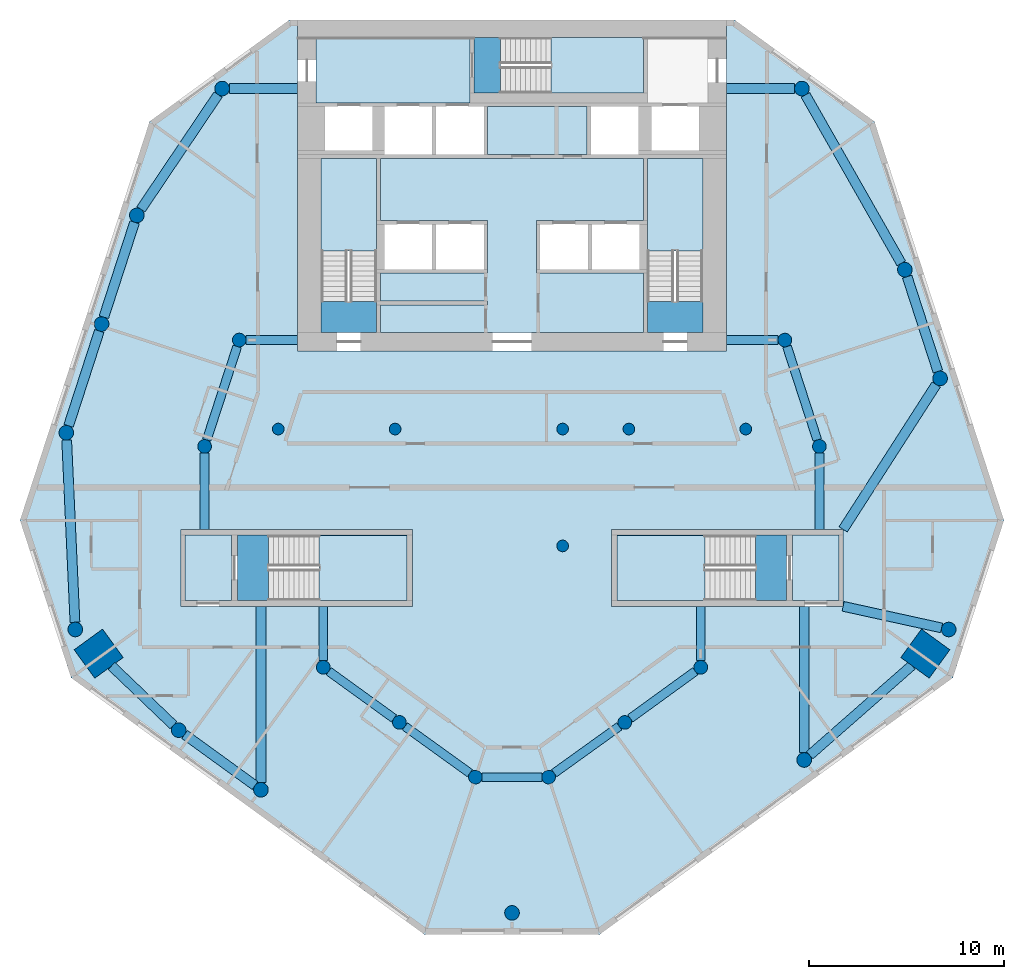
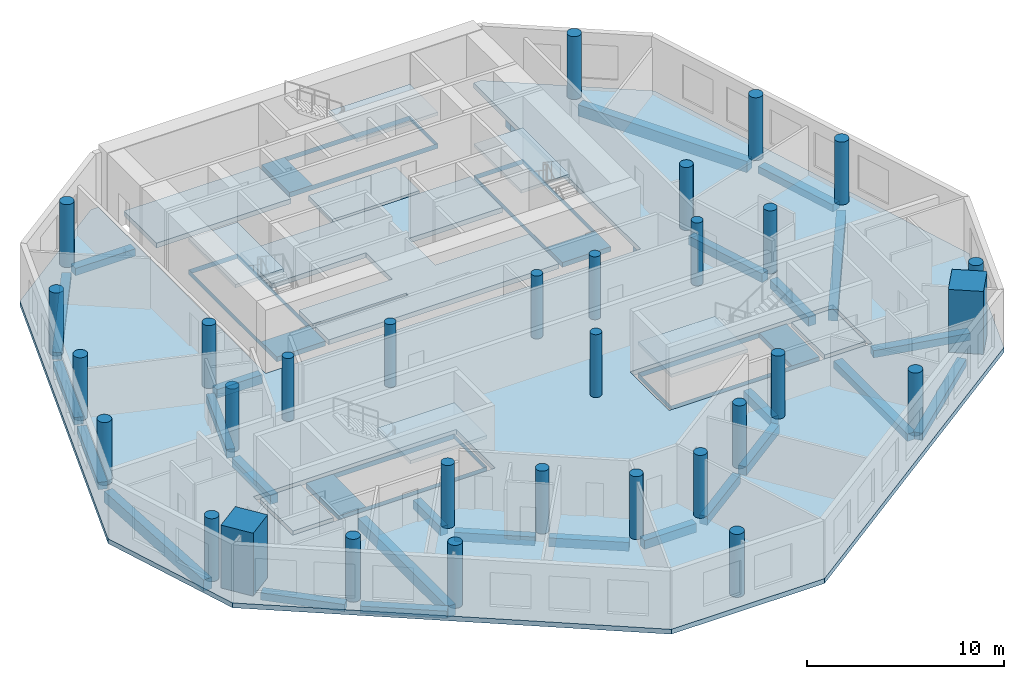
# One storey, part 1 of 9: 31 columns, 28 beams, 16 slabs, 5 elements without a shape of their own.
"""IFC4 building model written with IfcOpenShell, lengths in metres."""

from ifc_helpers import new_model, si_unit, direction, frame, origin, origin_2d, place, context, subcontext, project, spatial, polyline, rectangle, circle, outline, extrude, material, layer, layer_set, material_profile, profile_set, type_object, element, aggregate, save


model = new_model("IFC4")

# Units and contexts
model_context = context("Model", 3, precision=1e-05, world=origin(), true_north=direction((0.0, 1.0)))
body_context = subcontext(model_context, "Body", "Model", "MODEL_VIEW")
ifc_project = project(units=[si_unit("LENGTHUNIT", "METRE"), si_unit("AREAUNIT", "SQUARE_METRE"), si_unit("VOLUMEUNIT", "CUBIC_METRE"), si_unit("PLANEANGLEUNIT", "RADIAN"), si_unit("MASSUNIT", "GRAM", prefix="KILO")], contexts=[model_context])

# Site, building, storey
site_placement = place(None, origin())
site = spatial("IfcSite", under=ifc_project, at=site_placement, CompositionType="ELEMENT")
building_placement = place(site_placement, origin())
building = spatial("IfcBuilding", under=site, at=building_placement, Name="White Candle Pilgrim Tower", CompositionType="ELEMENT")
storey_placement = place(building_placement, frame((0.0, 0.0, 179.800048828125)))
storey = spatial("IfcBuildingStorey", under=building, at=storey_placement, Name="L41", CompositionType="ELEMENT", Elevation=179.800048828125)

# Columns
ifc_material_1 = material(Name="Concrete C70/85", Category="concrete")
ifc_material_profile_1 = material_profile(ifc_material_1, circle(Radius=0.300048828125, at=origin_2d()), Name="RC-COL D600")
ifc_profile_set_1 = profile_set([ifc_material_profile_1], Name="Concrete C70/85")
column_type_1 = type_object("IfcColumnType", Name="Interior column RC-COL D600 C70/85", PredefinedType="COLUMN", material=ifc_profile_set_1)
for number, where, z_axis, x_axis, name in (
    (1, (58.0, 67.0, 0.0), (0.0, 0.0, 1.0), (1.0, 0.0, 0.0), "L41 column I01"),
    (2, (64.0, 67.0, 0.0), (0.0, 0.0, 1.0), (1.0, 0.0, 0.0), "L41 column I02"),
    (3, (72.60009765625, 61.0, 0.0), (0.0, 0.0, 1.0), (1.0, 0.0, 0.0), "L41 column I03"),
    (4, (72.60009765625, 67.0, 0.0), (0.0, 0.0, 1.0), (1.0, 0.0, 0.0), "L41 column I04"),
    (5, (76.0, 67.0, 0.0), (0.0, 0.0, 1.0), (1.0, 0.0, 0.0), "L41 column I05"),
    (6, (82.0, 67.0, 0.0), (0.0, 0.0, 1.0), (1.0, 0.0, 0.0), "L41 column I06"),
):
    element("IfcColumn", number, at=place(storey_placement, frame(where, z_axis=z_axis, x_axis=x_axis)), inside=storey, type_object=column_type_1, Name=name, PredefinedType="COLUMN", context=body_context, shape_type="SweptSolid", body=[
        extrude(circle(Radius=0.300048828125, at=origin_2d()), origin(), (0.0, 0.0, 1.0), 3.89990234375),
    ])
ifc_material_profile_2 = material_profile(ifc_material_1, rectangle(XDim=1.800048828125, YDim=1.800048828125, at=origin_2d()), Name="RC 1800x1800")
ifc_profile_set_2 = profile_set([ifc_material_profile_2], Name="Concrete C70/85")
column_type_2 = type_object("IfcColumnType", Name="Mega column RC 1800x1800 C70/85", PredefinedType="COLUMN", material=ifc_profile_set_2)
for number, where, z_axis, x_axis, name in (
    (7, (48.780029296875, 55.469970703125, 0.0), (0.0, 0.0, 1.0), (-0.809016994375, -0.587785252292, 0.0), "L41 mega column T02"),
    (8, (91.219970703125, 55.469970703125, 0.0), (0.0, 0.0, 1.0), (0.809016994375, -0.587785252292, 0.0), "L41 mega column T07"),
):
    element("IfcColumn", number, at=place(storey_placement, frame(where, z_axis=z_axis, x_axis=x_axis)), inside=storey, type_object=column_type_2, Name=name, PredefinedType="COLUMN", context=body_context, shape_type="SweptSolid", body=[
        extrude(rectangle(XDim=1.800048828125, YDim=1.800048828125, at=origin_2d()), origin(), (0.0, 0.0, 1.0), 3.89990234375),
    ])
ifc_material_profile_3 = material_profile(ifc_material_1, circle(Radius=0.375, at=origin_2d()), Name="RC-COL D750")
ifc_profile_set_3 = profile_set([ifc_material_profile_3], Name="Concrete C70/85")
column_type_3 = type_object("IfcColumnType", Name="Perimeter column RC-COL D750 C70/85", PredefinedType="COLUMN", material=ifc_profile_set_3)
for number, where, z_axis, x_axis, name in (
    (9, (47.580078125, 56.7099609375, 0.0), (0.0, 0.0, 1.0), (1.0, 0.0, 0.0), "L41 column T01"),
    (10, (52.889892578125, 51.5400390625, 0.0), (0.0, 0.0, 1.0), (1.0, 0.0, 0.0), "L41 column T03"),
    (11, (57.110107421875, 48.47998046875, 0.0), (0.0, 0.0, 1.0), (1.0, 0.0, 0.0), "L41 column T04"),
    (12, (70.0, 42.159912109375, 0.0), (0.0, 0.0, 1.0), (1.0, 0.0, 0.0), "L41 column T05"),
    (13, (85.0, 50.010009765625, 0.0), (0.0, 0.0, 1.0), (1.0, 0.0, 0.0), "L41 column T06"),
    (14, (92.419921875, 56.7099609375, 0.0), (0.0, 0.0, 1.0), (1.0, 0.0, 0.0), "L41 column T08"),
    (15, (91.97998046875, 69.60009765625, 0.0), (0.0, 0.0, 1.0), (1.0, 0.0, 0.0), "L41 column T09"),
    (16, (90.169921875, 75.179931640625, 0.0), (0.0, 0.0, 1.0), (1.0, 0.0, 0.0), "L41 column T10"),
    (17, (84.8798828125, 84.47998046875, 0.0), (0.0, 0.0, 1.0), (1.0, 0.0, 0.0), "L41 column T11"),
    (18, (55.1201171875, 84.47998046875, 0.0), (0.0, 0.0, 1.0), (1.0, 0.0, 0.0), "L41 column T12"),
    (19, (50.739990234375, 77.969970703125, 0.0), (0.0, 0.0, 1.0), (1.0, 0.0, 0.0), "L41 column T13"),
    (20, (48.929931640625, 72.389892578125, 0.0), (0.0, 0.0, 1.0), (1.0, 0.0, 0.0), "L41 column T14"),
    (21, (47.1201171875, 66.81005859375, 0.0), (0.0, 0.0, 1.0), (1.0, 0.0, 0.0), "L41 column T15"),
):
    element("IfcColumn", number, at=place(storey_placement, frame(where, z_axis=z_axis, x_axis=x_axis)), inside=storey, type_object=column_type_3, Name=name, PredefinedType="COLUMN", context=body_context, shape_type="SweptSolid", body=[
        extrude(circle(Radius=0.375, at=origin_2d()), origin(), (0.0, 0.0, 1.0), 3.89990234375),
    ])
ifc_material_profile_4 = material_profile(ifc_material_1, circle(Radius=0.35009765625, at=origin_2d()), Name="RC-COL D700")
ifc_profile_set_4 = profile_set([ifc_material_profile_4], Name="Concrete C70/85")
column_type_4 = type_object("IfcColumnType", Name="Ring column RC-COL D700 C70/85", PredefinedType="COLUMN", material=ifc_profile_set_4)
for number, where, z_axis, x_axis, name in (
    (22, (60.31005859375, 54.77001953125, 0.0), (0.0, 0.0, 1.0), (1.0, 0.0, 0.0), "L41 column R01"),
    (23, (64.219970703125, 51.93994140625, 0.0), (0.0, 0.0, 1.0), (1.0, 0.0, 0.0), "L41 column R02"),
    (24, (68.1201171875, 49.1298828125, 0.0), (0.0, 0.0, 1.0), (1.0, 0.0, 0.0), "L41 column R03"),
    (25, (71.8798828125, 49.1298828125, 0.0), (0.0, 0.0, 1.0), (1.0, 0.0, 0.0), "L41 column R04"),
    (26, (75.7900390625, 51.93994140625, 0.0), (0.0, 0.0, 1.0), (1.0, 0.0, 0.0), "L41 column R05"),
    (27, (79.68994140625, 54.77001953125, 0.0), (0.0, 0.0, 1.0), (1.0, 0.0, 0.0), "L41 column R06"),
    (28, (85.780029296875, 66.110107421875, 0.0), (0.0, 0.0, 1.0), (1.0, 0.0, 0.0), "L41 column R07"),
    (29, (84.010009765625, 71.570068359375, 0.0), (0.0, 0.0, 1.0), (1.0, 0.0, 0.0), "L41 column R08"),
    (30, (56.0, 71.570068359375, 0.0), (0.0, 0.0, 1.0), (1.0, 0.0, 0.0), "L41 column R09"),
    (31, (54.219970703125, 66.110107421875, 0.0), (0.0, 0.0, 1.0), (1.0, 0.0, 0.0), "L41 column R10"),
):
    element("IfcColumn", number, at=place(storey_placement, frame(where, z_axis=z_axis, x_axis=x_axis)), inside=storey, type_object=column_type_4, Name=name, PredefinedType="COLUMN", context=body_context, shape_type="SweptSolid", body=[
        extrude(circle(Radius=0.35009765625, at=origin_2d()), origin(), (0.0, 0.0, 1.0), 3.89990234375),
    ])

# Beams
ifc_material_2 = material(Name="Concrete C50/60", Category="concrete")
ifc_material_profile_5 = material_profile(ifc_material_2, rectangle(XDim=0.449951171875, YDim=0.550048828125, at=origin_2d()), Name="RC-BM 450x550")
ifc_profile_set_5 = profile_set([ifc_material_profile_5], Name="Concrete C50/60")
beam_type_1 = type_object("IfcBeamType", Name="Ring beam RC-BM 450x550 C50/60", PredefinedType="BEAM", material=ifc_profile_set_5)
beam_1_placement = place(storey_placement, frame((60.593505859375, 54.56494140625, -0.574951171875), z_axis=(0.810043858436, -0.586369292691, 0.0), x_axis=(0.586369292691, 0.810043858436, 0.0)))
element("IfcBeam", 32, at=beam_1_placement, inside=storey, type_object=beam_type_1, Name="L41 ring beam R01", PredefinedType="BEAM", context=body_context, shape_type="SweptSolid", body=[
    extrude(rectangle(XDim=0.449951171875, YDim=0.550048828125, at=origin_2d()), origin(), (0.0, 0.0, 1.0), 4.126953125),
])
beam_2_placement = place(storey_placement, frame((64.50390625, 51.735595703125, -0.574951171875), z_axis=(0.811316688041, -0.584606903574, 0.0), x_axis=(0.584606903574, 0.811316688041, 0.0)))
element("IfcBeam", 33, at=beam_2_placement, inside=storey, type_object=beam_type_1, Name="L41 ring beam R02", PredefinedType="BEAM", context=body_context, shape_type="SweptSolid", body=[
    extrude(rectangle(XDim=0.449951171875, YDim=0.550048828125, at=origin_2d()), origin(), (0.0, 0.0, 1.0), 4.107177734375),
])
beam_3_placement = place(storey_placement, frame((68.469970703125, 49.1298828125, -0.574951171875), z_axis=(1.0, 0.0, 0.0), x_axis=(0.0, 1.0, 0.0)))
element("IfcBeam", 34, at=beam_3_placement, inside=storey, type_object=beam_type_1, Name="L41 ring beam R03", PredefinedType="BEAM", context=body_context, shape_type="SweptSolid", body=[
    extrude(rectangle(XDim=0.449951171875, YDim=0.550048828125, at=origin_2d()), origin(), (0.0, 0.0, 1.0), 3.06005859375),
])
beam_4_placement = place(storey_placement, frame((72.1640625, 49.333984375, -0.574951171875), z_axis=(0.812022399974, 0.583626269063, 0.0), x_axis=(-0.583626269063, 0.812022399974, 0.0)))
element("IfcBeam", 35, at=beam_4_placement, inside=storey, type_object=beam_type_1, Name="L41 ring beam R04", PredefinedType="BEAM", context=body_context, shape_type="SweptSolid", body=[
    extrude(rectangle(XDim=0.449951171875, YDim=0.550048828125, at=origin_2d()), origin(), (0.0, 0.0, 1.0), 4.115478515625),
])
beam_5_placement = place(storey_placement, frame((76.072998046875, 52.1455078125, -0.574951171875), z_axis=(0.809401961177, 0.587255025728, 0.0), x_axis=(-0.587255025728, 0.809401961177, 0.0)))
element("IfcBeam", 36, at=beam_5_placement, inside=storey, type_object=beam_type_1, Name="L41 ring beam R05", PredefinedType="BEAM", context=body_context, shape_type="SweptSolid", body=[
    extrude(rectangle(XDim=0.449951171875, YDim=0.550048828125, at=origin_2d()), origin(), (0.0, 0.0, 1.0), 4.119140625),
])
beam_6_placement = place(storey_placement, frame((79.68994140625, 55.1201171875, -0.574951171875), z_axis=(0.0, 1.0, 0.0), x_axis=(-1.0, 0.0, 0.0)))
element("IfcBeam", 37, at=beam_6_placement, inside=storey, type_object=beam_type_1, Name="L41 ring beam R06", PredefinedType="BEAM", context=body_context, shape_type="SweptSolid", body=[
    extrude(rectangle(XDim=0.449951171875, YDim=0.550048828125, at=origin_2d()), origin(), (0.0, 0.0, 1.0), 2.77978515625),
])
beam_7_placement = place(storey_placement, frame((85.780029296875, 65.760009765625, -0.574951171875), z_axis=(0.0, -1.0, 0.0), x_axis=(1.0, 0.0, 0.0)))
element("IfcBeam", 38, at=beam_7_placement, inside=storey, type_object=beam_type_1, Name="L41 ring beam R07", PredefinedType="BEAM", context=body_context, shape_type="SweptSolid", body=[
    extrude(rectangle(XDim=0.449951171875, YDim=0.550048828125, at=origin_2d()), origin(), (0.0, 0.0, 1.0), 3.909912109375),
])
beam_8_placement = place(storey_placement, frame((85.672119140625, 66.44287109375, -0.574951171875), z_axis=(-0.308369651752, 0.95126660715, 0.0), x_axis=(-0.95126660715, -0.308369651752, 0.0)))
element("IfcBeam", 39, at=beam_8_placement, inside=storey, type_object=beam_type_1, Name="L41 ring beam R08", PredefinedType="BEAM", context=body_context, shape_type="SweptSolid", body=[
    extrude(rectangle(XDim=0.449951171875, YDim=0.550048828125, at=origin_2d()), origin(), (0.0, 0.0, 1.0), 5.0400390625),
])
beam_9_placement = place(storey_placement, frame((83.659912109375, 71.570068359375, -0.574951171875), z_axis=(-1.0, 0.0, 0.0), x_axis=(0.0, -1.0, 0.0)))
element("IfcBeam", 40, at=beam_9_placement, inside=storey, type_object=beam_type_1, Name="L41 ring beam R09", PredefinedType="BEAM", context=body_context, shape_type="SweptSolid", body=[
    extrude(rectangle(XDim=0.449951171875, YDim=0.550048828125, at=origin_2d()), origin(), (0.0, 0.0, 1.0), 2.659912109375),
])
beam_10_placement = place(storey_placement, frame((56.35009765625, 71.570068359375, -0.574951171875), z_axis=(1.0, 0.0, 0.0), x_axis=(0.0, 1.0, 0.0)))
element("IfcBeam", 41, at=beam_10_placement, inside=storey, type_object=beam_type_1, Name="L41 ring beam R10", PredefinedType="BEAM", context=body_context, shape_type="SweptSolid", body=[
    extrude(rectangle(XDim=0.449951171875, YDim=0.550048828125, at=origin_2d()), origin(), (0.0, 0.0, 1.0), 2.64990234375),
])
beam_11_placement = place(storey_placement, frame((55.8916015625, 71.2373046875, -0.574951171875), z_axis=(-0.309975890104, -0.950744417577, 0.0), x_axis=(0.950744417577, -0.309975890104, 0.0)))
element("IfcBeam", 42, at=beam_11_placement, inside=storey, type_object=beam_type_1, Name="L41 ring beam R11", PredefinedType="BEAM", context=body_context, shape_type="SweptSolid", body=[
    extrude(rectangle(XDim=0.449951171875, YDim=0.550048828125, at=origin_2d()), origin(), (0.0, 0.0, 1.0), 5.04296875),
])
beam_12_placement = place(storey_placement, frame((54.219970703125, 65.760009765625, -0.574951171875), z_axis=(0.0, -1.0, 0.0), x_axis=(1.0, 0.0, 0.0)))
element("IfcBeam", 43, at=beam_12_placement, inside=storey, type_object=beam_type_1, Name="L41 ring beam R12", PredefinedType="BEAM", context=body_context, shape_type="SweptSolid", body=[
    extrude(rectangle(XDim=0.449951171875, YDim=0.550048828125, at=origin_2d()), origin(), (0.0, 0.0, 1.0), 3.909912109375),
])
beam_13_placement = place(storey_placement, frame((60.31005859375, 55.1201171875, -0.574951171875), z_axis=(0.0, 1.0, 0.0), x_axis=(-1.0, 0.0, 0.0)))
element("IfcBeam", 44, at=beam_13_placement, inside=storey, type_object=beam_type_1, Name="L41 ring beam R13", PredefinedType="BEAM", context=body_context, shape_type="SweptSolid", body=[
    extrude(rectangle(XDim=0.449951171875, YDim=0.550048828125, at=origin_2d()), origin(), (0.0, 0.0, 1.0), 2.77978515625),
])
ifc_material_profile_6 = material_profile(ifc_material_2, rectangle(XDim=0.5, YDim=0.449951171875, at=origin_2d()), Name="RC-BM 500x450")
ifc_profile_set_6 = profile_set([ifc_material_profile_6], Name="Concrete C50/60")
beam_type_2 = type_object("IfcBeamType", Name="Spandrel beam RC-BM 500x450 C50/60", PredefinedType="BEAM", material=ifc_profile_set_6)
beam_14_placement = place(storey_placement, frame((49.441162109375, 54.837890625, -0.525146484375), z_axis=(0.722753991569, -0.691105395487, 0.0), x_axis=(0.691105395487, 0.722753991569, 0.0)))
element("IfcBeam", 45, at=beam_14_placement, inside=storey, type_object=beam_type_2, Name="L41 spandrel beam T01", PredefinedType="BEAM", context=body_context, shape_type="SweptSolid", body=[
    extrude(rectangle(XDim=0.5, YDim=0.449951171875, at=origin_2d()), origin(), (0.0, 0.0, 1.0), 4.39697265625),
])
beam_15_placement = place(storey_placement, frame((53.193359375, 51.320068359375, -0.525146484375), z_axis=(0.809558451789, -0.587039277338, 0.0), x_axis=(0.587039277338, 0.809558451789, 0.0)))
element("IfcBeam", 46, at=beam_15_placement, inside=storey, type_object=beam_type_2, Name="L41 spandrel beam T02", PredefinedType="BEAM", context=body_context, shape_type="SweptSolid", body=[
    extrude(rectangle(XDim=0.5, YDim=0.449951171875, at=origin_2d()), origin(), (0.0, 0.0, 1.0), 4.46337890625),
])
beam_16_placement = place(storey_placement, frame((85.0, 50.385009765625, -0.525146484375), z_axis=(0.0, 1.0, 0.0), x_axis=(-1.0, 0.0, 0.0)))
element("IfcBeam", 47, at=beam_16_placement, inside=storey, type_object=beam_type_2, Name="L41 spandrel beam T04", PredefinedType="BEAM", context=body_context, shape_type="SweptSolid", body=[
    extrude(rectangle(XDim=0.5, YDim=0.449951171875, at=origin_2d()), origin(), (0.0, 0.0, 1.0), 7.514892578125),
])
beam_17_placement = place(storey_placement, frame((85.28173828125, 50.25732421875, -0.525146484375), z_axis=(0.751529055224, 0.65969999178, 0.0), x_axis=(-0.65969999178, 0.751529055224, 0.0)))
element("IfcBeam", 48, at=beam_17_placement, inside=storey, type_object=beam_type_2, Name="L41 spandrel beam T05", PredefinedType="BEAM", context=body_context, shape_type="SweptSolid", body=[
    extrude(rectangle(XDim=0.5, YDim=0.449951171875, at=origin_2d()), origin(), (0.0, 0.0, 1.0), 6.97900390625),
])
beam_18_placement = place(storey_placement, frame((92.053955078125, 56.790283203125, -0.525146484375), z_axis=(-0.976735666267, 0.214446819148, 0.0), x_axis=(-0.214446819148, -0.976735666267, 0.0)))
element("IfcBeam", 49, at=beam_18_placement, inside=storey, type_object=beam_type_2, Name="L41 spandrel beam T06", PredefinedType="BEAM", context=body_context, shape_type="SweptSolid", body=[
    extrude(rectangle(XDim=0.5, YDim=0.449951171875, at=origin_2d()), origin(), (0.0, 0.0, 1.0), 5.17431640625),
])
beam_19_placement = place(storey_placement, frame((91.8642578125, 69.95654296875, -0.525146484375), z_axis=(-0.308530369215, 0.951214492779, 0.0), x_axis=(-0.951214492779, -0.308530369215, 0.0)))
element("IfcBeam", 50, at=beam_19_placement, inside=storey, type_object=beam_type_2, Name="L41 spandrel beam T08", PredefinedType="BEAM", context=body_context, shape_type="SweptSolid", body=[
    extrude(rectangle(XDim=0.5, YDim=0.449951171875, at=origin_2d()), origin(), (0.0, 0.0, 1.0), 5.116455078125),
])
for number, where, z_axis, x_axis, name in (
    (51, (84.5048828125, 84.47998046875, -0.525146484375), (-1.0, 0.0, 0.0), (0.0, -1.0, 0.0), "L41 spandrel beam T10"),
    (52, (55.4951171875, 84.47998046875, -0.525146484375), (1.0, 0.0, 0.0), (0.0, 1.0, 0.0), "L41 spandrel beam T11"),
):
    element("IfcBeam", number, at=place(storey_placement, frame(where, z_axis=z_axis, x_axis=x_axis)), inside=storey, type_object=beam_type_2, Name=name, PredefinedType="BEAM", context=body_context, shape_type="SweptSolid", body=[
        extrude(rectangle(XDim=0.5, YDim=0.449951171875, at=origin_2d()), origin(), (0.0, 0.0, 1.0), 3.5048828125),
    ])
beam_20_placement = place(storey_placement, frame((54.91064453125, 84.1689453125, -0.525146484375), z_axis=(-0.55822018442, -0.82969285022, 0.0), x_axis=(0.82969285022, -0.55822018442, 0.0)))
element("IfcBeam", 53, at=beam_20_placement, inside=storey, type_object=beam_type_2, Name="L41 spandrel beam T12", PredefinedType="BEAM", context=body_context, shape_type="SweptSolid", body=[
    extrude(rectangle(XDim=0.5, YDim=0.449951171875, at=origin_2d()), origin(), (0.0, 0.0, 1.0), 7.096435546875),
])
beam_21_placement = place(storey_placement, frame((50.624267578125, 77.61328125, -0.525146484375), z_axis=(-0.308544373382, -0.951209950355, 0.0), x_axis=(0.951209950355, -0.308544373382, 0.0)))
element("IfcBeam", 54, at=beam_21_placement, inside=storey, type_object=beam_type_2, Name="L41 spandrel beam T13", PredefinedType="BEAM", context=body_context, shape_type="SweptSolid", body=[
    extrude(rectangle(XDim=0.5, YDim=0.449951171875, at=origin_2d()), origin(), (0.0, 0.0, 1.0), 5.1162109375),
])
beam_22_placement = place(storey_placement, frame((48.814208984375, 72.033447265625, -0.525146484375), z_axis=(-0.308530369215, -0.951214492779, 0.0), x_axis=(0.951214492779, -0.308530369215, 0.0)))
element("IfcBeam", 55, at=beam_22_placement, inside=storey, type_object=beam_type_2, Name="L41 spandrel beam T14", PredefinedType="BEAM", context=body_context, shape_type="SweptSolid", body=[
    extrude(rectangle(XDim=0.5, YDim=0.449951171875, at=origin_2d()), origin(), (0.0, 0.0, 1.0), 5.116455078125),
])
ifc_material_profile_7 = material_profile(ifc_material_2, rectangle(XDim=0.5, YDim=0.699951171875, at=origin_2d()), Name="RC-BM 500x700")
ifc_profile_set_7 = profile_set([ifc_material_profile_7], Name="Concrete C50/60")
beam_type_3 = type_object("IfcBeamType", Name="Spandrel beam RC-BM 500x700 C50/60", PredefinedType="BEAM", material=ifc_profile_set_7)
beam_23_placement = place(storey_placement, frame((57.110107421875, 48.85498046875, -0.650146484375), z_axis=(0.0, 1.0, 0.0), x_axis=(-1.0, 0.0, 0.0)))
element("IfcBeam", 56, at=beam_23_placement, inside=storey, type_object=beam_type_3, Name="L41 spandrel beam T03", PredefinedType="BEAM", context=body_context, shape_type="SweptSolid", body=[
    extrude(rectangle(XDim=0.5, YDim=0.699951171875, at=origin_2d()), origin(), (0.0, 0.0, 1.0), 9.044921875),
])
beam_24_placement = place(storey_placement, frame((91.77734375, 69.28466796875, -0.650146484375), z_axis=(-0.540595612128, -0.841282582815, 0.0), x_axis=(0.841282582815, -0.540595612128, 0.0)))
element("IfcBeam", 57, at=beam_24_placement, inside=storey, type_object=beam_type_3, Name="L41 spandrel beam T07", PredefinedType="BEAM", context=body_context, shape_type="SweptSolid", body=[
    extrude(rectangle(XDim=0.5, YDim=0.699951171875, at=origin_2d()), origin(), (0.0, 0.0, 1.0), 8.837158203125),
])
beam_25_placement = place(storey_placement, frame((89.984619140625, 75.505859375, -0.650146484375), z_axis=(-0.494422929515, 0.869221471646, 0.0), x_axis=(-0.869221471646, -0.494422929515, 0.0)))
element("IfcBeam", 58, at=beam_25_placement, inside=storey, type_object=beam_type_3, Name="L41 spandrel beam T09", PredefinedType="BEAM", context=body_context, shape_type="SweptSolid", body=[
    extrude(rectangle(XDim=0.5, YDim=0.699951171875, at=origin_2d()), origin(), (0.0, 0.0, 1.0), 9.949462890625),
])
beam_26_placement = place(storey_placement, frame((47.13720703125, 66.435546875, -0.650146484375), z_axis=(0.045485743277, -0.998964987954, 0.0), x_axis=(0.998964987954, 0.045485743277, 0.0)))
element("IfcBeam", 59, at=beam_26_placement, inside=storey, type_object=beam_type_3, Name="L41 spandrel beam T15", PredefinedType="BEAM", context=body_context, shape_type="SweptSolid", body=[
    extrude(rectangle(XDim=0.5, YDim=0.699951171875, at=origin_2d()), origin(), (0.0, 0.0, 1.0), 9.36083984375),
])

# Slabs
ifc_material_3 = material(Name="Concrete C40/50", Category="concrete")
ifc_layer_1 = layer(ifc_material_3, 0.300048828125)
ifc_layer_set_1 = layer_set([ifc_layer_1], Name="Core floor slab 300 mm Concrete C40/50")
slab_type_1 = type_object("IfcSlabType", Name="Core floor slab 300 mm Concrete C40/50", PredefinedType="FLOOR", material=ifc_layer_set_1)
slab_1_placement = place(storey_placement, frame((0.0, 0.0, -0.300048828125)))
element("IfcSlab", 60, at=slab_1_placement, inside=storey, type_object=slab_type_1, Name="CF-L41-01", PredefinedType="FLOOR", context=body_context, shape_type="SweptSolid", body=[
    extrude(outline(polyline([(55.60009765625, 58.199951171875), (53.199951171875, 58.199951171875), (53.199951171875, 61.550048828125), (55.60009765625, 61.550048828125), (55.60009765625, 58.199951171875)])), origin(), (0.0, 0.0, 1.0), 0.300048828125),
])
slab_2_placement = place(storey_placement, frame((0.0, 0.0, -0.300048828125)))
element("IfcSlab", 61, at=slab_2_placement, inside=storey, type_object=slab_type_1, Name="CF-L41-02", PredefinedType="FLOOR", context=body_context, shape_type="SweptSolid", body=[
    extrude(outline(polyline([(55.89990234375, 58.199951171875), (55.89990234375, 61.550048828125), (64.60009765625, 61.550048828125), (64.60009765625, 58.199951171875), (55.89990234375, 58.199951171875)]), holes=[polyline([(57.501953125, 61.548095703125), (57.501953125, 58.201904296875), (64.597900390625, 58.201904296875), (64.597900390625, 61.548095703125), (57.501953125, 61.548095703125)])]), origin(), (0.0, 0.0, 1.0), 0.300048828125),
])
slab_3_placement = place(storey_placement, frame((0.0, 0.0, -0.300048828125)))
element("IfcSlab", 62, at=slab_3_placement, inside=storey, type_object=slab_type_1, Name="CF-L41-03", PredefinedType="FLOOR", context=body_context, shape_type="SweptSolid", body=[
    extrude(outline(polyline([(75.39990234375, 58.199951171875), (75.39990234375, 61.550048828125), (84.10009765625, 61.550048828125), (84.10009765625, 58.199951171875), (75.39990234375, 58.199951171875)]), holes=[polyline([(82.498046875, 58.201904296875), (82.498046875, 61.548095703125), (75.402099609375, 61.548095703125), (75.402099609375, 58.201904296875), (82.498046875, 58.201904296875)])]), origin(), (0.0, 0.0, 1.0), 0.300048828125),
])
slab_4_placement = place(storey_placement, frame((0.0, 0.0, -0.300048828125)))
element("IfcSlab", 63, at=slab_4_placement, inside=storey, type_object=slab_type_1, Name="CF-L41-04", PredefinedType="FLOOR", context=body_context, shape_type="SweptSolid", body=[
    extrude(outline(polyline([(86.800048828125, 58.199951171875), (84.39990234375, 58.199951171875), (84.39990234375, 61.550048828125), (86.800048828125, 61.550048828125), (86.800048828125, 58.199951171875)])), origin(), (0.0, 0.0, 1.0), 0.300048828125),
])
slab_5_placement = place(storey_placement, frame((0.0, 0.0, -0.300048828125)))
element("IfcSlab", 64, at=slab_5_placement, inside=storey, type_object=slab_type_1, Name="CF-L41-05", PredefinedType="FLOOR", context=body_context, shape_type="SweptSolid", body=[
    extrude(outline(polyline([(76.75, 87.10009765625), (76.75, 87.050048828125), (76.75, 84.25), (68.050048828125, 84.25), (68.050048828125, 87.050048828125), (68.050048828125, 87.10009765625), (76.75, 87.10009765625)]), holes=[polyline([(69.402099609375, 87.097900390625), (69.402099609375, 84.251953125), (76.748046875, 84.251953125), (76.748046875, 87.097900390625), (69.402099609375, 87.097900390625)])]), origin(), (0.0, 0.0, 1.0), 0.300048828125),
])
slab_6_placement = place(storey_placement, frame((0.0, 0.0, -0.300048828125)))
element("IfcSlab", 65, at=slab_6_placement, inside=storey, type_object=slab_type_1, Name="CF-L41-07", PredefinedType="FLOOR", context=body_context, shape_type="SweptSolid", body=[
    extrude(outline(polyline([(76.949951171875, 71.949951171875), (76.949951171875, 75.0), (76.949951171875, 75.199951171875), (76.949951171875, 77.5), (76.949951171875, 77.699951171875), (76.949951171875, 80.89990234375), (79.800048828125, 80.89990234375), (79.800048828125, 71.949951171875), (76.949951171875, 71.949951171875)]), holes=[polyline([(76.951904296875, 73.552001953125), (79.798095703125, 73.552001953125), (79.798095703125, 80.89794921875), (76.951904296875, 80.89794921875), (76.951904296875, 73.552001953125)])]), origin(), (0.0, 0.0, 1.0), 0.300048828125),
])
slab_7_placement = place(storey_placement, frame((0.0, 0.0, -0.300048828125)))
element("IfcSlab", 66, at=slab_7_placement, inside=storey, type_object=slab_type_1, Name="CF-L41-08", PredefinedType="FLOOR", context=body_context, shape_type="SweptSolid", body=[
    extrude(outline(polyline([(63.25, 71.949951171875), (63.25, 73.375), (68.75, 73.375), (68.75, 73.574951171875), (63.25, 73.574951171875), (63.25, 75.0), (68.75, 75.0), (68.75, 75.199951171875), (68.75, 77.5), (68.75, 77.699951171875), (63.25, 77.699951171875), (63.25, 80.89990234375), (76.75, 80.89990234375), (76.75, 77.699951171875), (71.25, 77.699951171875), (71.25, 77.5), (71.25, 75.199951171875), (71.25, 75.0), (76.75, 75.0), (76.75, 71.949951171875), (63.25, 71.949951171875)])), origin(), (0.0, 0.0, 1.0), 0.300048828125),
])
slab_8_placement = place(storey_placement, frame((0.0, 0.0, -0.300048828125)))
element("IfcSlab", 67, at=slab_8_placement, inside=storey, type_object=slab_type_1, Name="CF-L41-09", PredefinedType="FLOOR", context=body_context, shape_type="SweptSolid", body=[
    extrude(outline(polyline([(60.199951171875, 71.949951171875), (60.199951171875, 80.89990234375), (63.050048828125, 80.89990234375), (63.050048828125, 77.699951171875), (63.050048828125, 77.5), (63.050048828125, 75.199951171875), (63.050048828125, 75.0), (63.050048828125, 73.574951171875), (63.050048828125, 73.375), (63.050048828125, 71.949951171875), (60.199951171875, 71.949951171875)]), holes=[polyline([(60.201904296875, 73.552001953125), (63.048095703125, 73.552001953125), (63.048095703125, 80.89794921875), (60.201904296875, 80.89794921875), (60.201904296875, 73.552001953125)])]), origin(), (0.0, 0.0, 1.0), 0.300048828125),
])
slab_9_placement = place(storey_placement, frame((0.0, 0.0, -0.300048828125)))
element("IfcSlab", 68, at=slab_9_placement, inside=storey, type_object=slab_type_1, Name="CF-L41-10", PredefinedType="FLOOR", context=body_context, shape_type="SweptSolid", body=[
    extrude(outline(polyline([(59.949951171875, 87.050048828125), (67.85009765625, 87.050048828125), (67.85009765625, 84.25), (67.85009765625, 83.75), (59.949951171875, 83.75), (59.949951171875, 87.050048828125)])), origin(), (0.0, 0.0, 1.0), 0.300048828125),
])
slab_10_placement = place(storey_placement, frame((0.0, 0.0, -0.300048828125)))
element("IfcSlab", 69, at=slab_10_placement, inside=storey, type_object=slab_type_1, Name="CF-L41-11", PredefinedType="FLOOR", context=body_context, shape_type="SweptSolid", body=[
    extrude(outline(polyline([(73.85009765625, 83.550048828125), (73.85009765625, 81.10009765625), (68.75, 81.10009765625), (68.75, 83.550048828125), (73.85009765625, 83.550048828125)])), origin(), (0.0, 0.0, 1.0), 0.300048828125),
])
ifc_layer_2 = layer(ifc_material_3, 0.300048828125)
ifc_layer_set_2 = layer_set([ifc_layer_2], Name="Floor slab 300 REI 120")
slab_type_2 = type_object("IfcSlabType", Name="Floor slab 300 REI 120", PredefinedType="FLOOR", material=ifc_layer_set_2)
slab_11_placement = place(storey_placement, frame((0.0, 0.0, -0.300048828125)))
element("IfcSlab", 70, at=slab_11_placement, inside=storey, type_object=slab_type_2, Name="L41 floor slab", PredefinedType="FLOOR", context=body_context, shape_type="SweptSolid", body=[
    extrude(outline(polyline([(65.504150390625, 41.052978515625), (74.495849609375, 41.052978515625), (92.63134765625, 54.229248046875), (95.25830078125, 62.314453125), (88.604736328125, 82.79248046875), (81.43701171875, 88.0), (81.0, 88.0), (81.0, 71.0), (59.0, 71.0), (59.0, 88.0), (58.56298828125, 88.0), (51.395263671875, 82.79248046875), (44.74169921875, 62.314453125), (47.36865234375, 54.229248046875), (65.504150390625, 41.052978515625)]), holes=[polyline([(53.0, 57.89990234375), (53.0, 61.85009765625), (64.89990234375, 61.85009765625), (64.89990234375, 57.89990234375), (53.0, 57.89990234375)]), polyline([(75.10009765625, 57.89990234375), (75.10009765625, 61.85009765625), (87.0, 61.85009765625), (87.0, 57.89990234375), (75.10009765625, 57.89990234375)])]), origin(), (0.0, 0.0, 1.0), 0.300048828125),
])

# Stair, slab
stair_type_1 = type_object("IfcStairType", Name="Exit stair 1 flight width 1350 mm", PredefinedType="HALF_TURN_STAIR", material=ifc_material_3)
stair_1_placement = place(storey_placement, origin())
stair_1 = element("IfcStair", 71, at=stair_1_placement, inside=storey, type_object=stair_type_1, Name="L41 stair 1", PredefinedType="NOTDEFINED")
ifc_layer_3 = layer(ifc_material_3, 0.199951171875)
ifc_layer_set_3 = layer_set([ifc_layer_3], Name="Stair landing Concrete C40/50")
slab_type_3 = type_object("IfcSlabType", Name="Stair landing Concrete C40/50", PredefinedType="LANDING", material=ifc_layer_set_3)
slab_12_placement = place(storey_placement, frame((0.0, 0.0, 1.75)))
slab_12 = element("IfcSlab", 72, at=slab_12_placement, type_object=slab_type_3, Name="ST1 landing 1", PredefinedType="LANDING", context=body_context, shape_type="SweptSolid", body=[
    extrude(outline(polyline([(63.052001953125, 76.14794921875), (60.197998046875, 76.14794921875), (60.197998046875, 80.902099609375), (63.052001953125, 80.902099609375), (63.052001953125, 76.14794921875)])), origin(), (0.0, 0.0, 1.0), 0.199951171875),
])
aggregate(stair_1, [slab_12])

stair_type_2 = type_object("IfcStairType", Name="Exit stair 2 flight width 1350 mm", PredefinedType="HALF_TURN_STAIR", material=ifc_material_3)
stair_2_placement = place(storey_placement, origin())
stair_2 = element("IfcStair", 73, at=stair_2_placement, inside=storey, type_object=stair_type_2, Name="L41 stair 2", PredefinedType="NOTDEFINED")
slab_13_placement = place(storey_placement, frame((0.0, 0.0, 1.75)))
slab_13 = element("IfcSlab", 74, at=slab_13_placement, type_object=slab_type_3, Name="ST2 landing 1", PredefinedType="LANDING", context=body_context, shape_type="SweptSolid", body=[
    extrude(outline(polyline([(79.802001953125, 76.14794921875), (76.947998046875, 76.14794921875), (76.947998046875, 80.902099609375), (79.802001953125, 80.902099609375), (79.802001953125, 76.14794921875)])), origin(), (0.0, 0.0, 1.0), 0.199951171875),
])
aggregate(stair_2, [slab_13])

stair_type_3 = type_object("IfcStairType", Name="Exit stair 3 flight width 1350 mm", PredefinedType="HALF_TURN_STAIR", material=ifc_material_3)
stair_3_placement = place(storey_placement, origin())
stair_3 = element("IfcStair", 75, at=stair_3_placement, inside=storey, type_object=stair_type_3, Name="L41 stair 3", PredefinedType="NOTDEFINED")
slab_14_placement = place(storey_placement, frame((0.0, 0.0, 1.75)))
slab_14 = element("IfcSlab", 76, at=slab_14_placement, type_object=slab_type_3, Name="ST3 landing 1", PredefinedType="LANDING", context=body_context, shape_type="SweptSolid", body=[
    extrude(outline(polyline([(71.998046875, 84.248046875), (71.998046875, 87.10205078125), (76.751953125, 87.10205078125), (76.751953125, 84.248046875), (71.998046875, 84.248046875)])), origin(), (0.0, 0.0, 1.0), 0.199951171875),
])
aggregate(stair_3, [slab_14])

stair_type_4 = type_object("IfcStairType", Name="Exit stair 4 flight width 1600 mm", PredefinedType="HALF_TURN_STAIR", material=ifc_material_3)
stair_4_placement = place(storey_placement, origin())
stair_4 = element("IfcStair", 77, at=stair_4_placement, inside=storey, type_object=stair_type_4, Name="L41 stair 4", PredefinedType="NOTDEFINED")
slab_15_placement = place(storey_placement, frame((0.0, 0.0, 1.75)))
slab_15 = element("IfcSlab", 78, at=slab_15_placement, type_object=slab_type_3, Name="ST4 landing 1", PredefinedType="LANDING", context=body_context, shape_type="SweptSolid", body=[
    extrude(outline(polyline([(79.902099609375, 61.552001953125), (79.902099609375, 58.197998046875), (75.39794921875, 58.197998046875), (75.39794921875, 61.552001953125), (79.902099609375, 61.552001953125)])), origin(), (0.0, 0.0, 1.0), 0.199951171875),
])
aggregate(stair_4, [slab_15])

stair_type_5 = type_object("IfcStairType", Name="Exit stair 5 flight width 1600 mm", PredefinedType="HALF_TURN_STAIR", material=ifc_material_3)
stair_5_placement = place(storey_placement, origin())
stair_5 = element("IfcStair", 79, at=stair_5_placement, inside=storey, type_object=stair_type_5, Name="L41 stair 5", PredefinedType="NOTDEFINED")
slab_16_placement = place(storey_placement, frame((0.0, 0.0, 1.75)))
slab_16 = element("IfcSlab", 80, at=slab_16_placement, type_object=slab_type_3, Name="ST5 landing 1", PredefinedType="LANDING", context=body_context, shape_type="SweptSolid", body=[
    extrude(outline(polyline([(60.097900390625, 58.197998046875), (60.097900390625, 61.552001953125), (64.60205078125, 61.552001953125), (64.60205078125, 58.197998046875), (60.097900390625, 58.197998046875)])), origin(), (0.0, 0.0, 1.0), 0.199951171875),
])
aggregate(stair_5, [slab_16])

save(model, "model.ifc")
